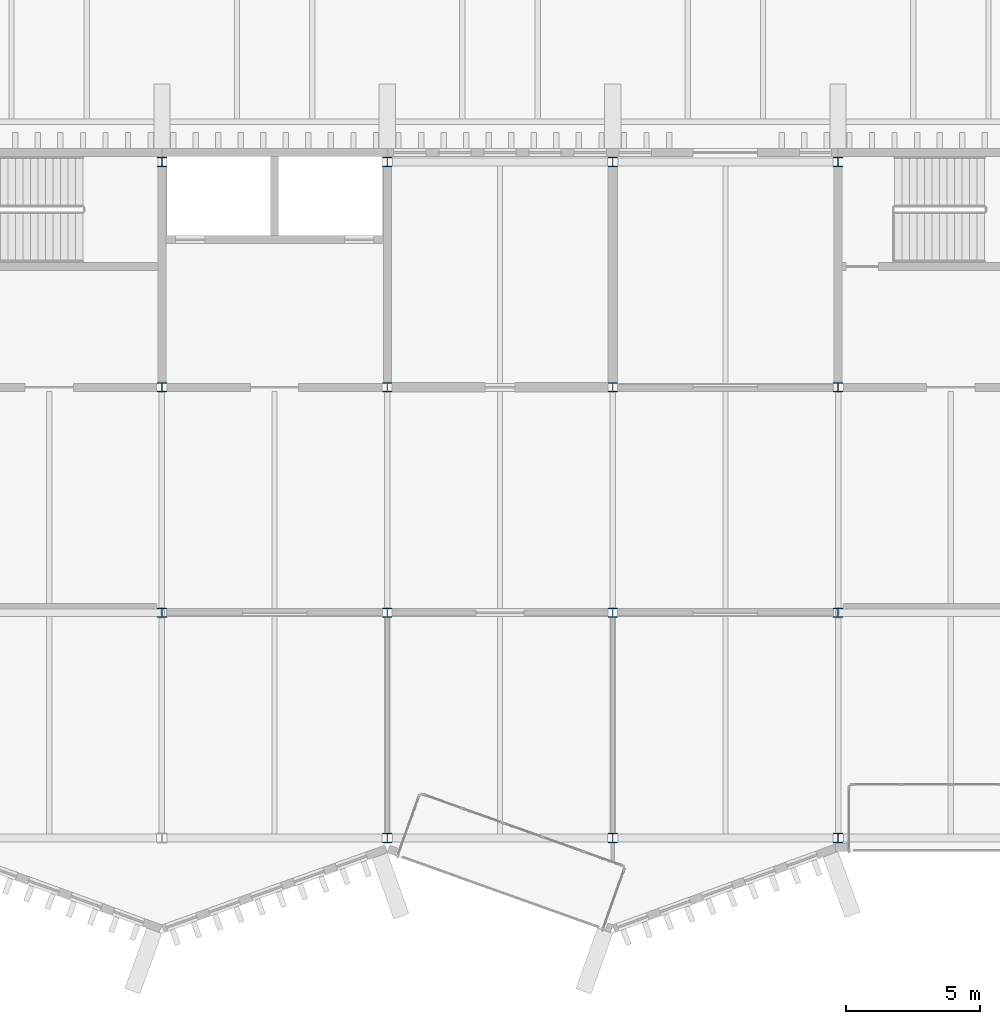
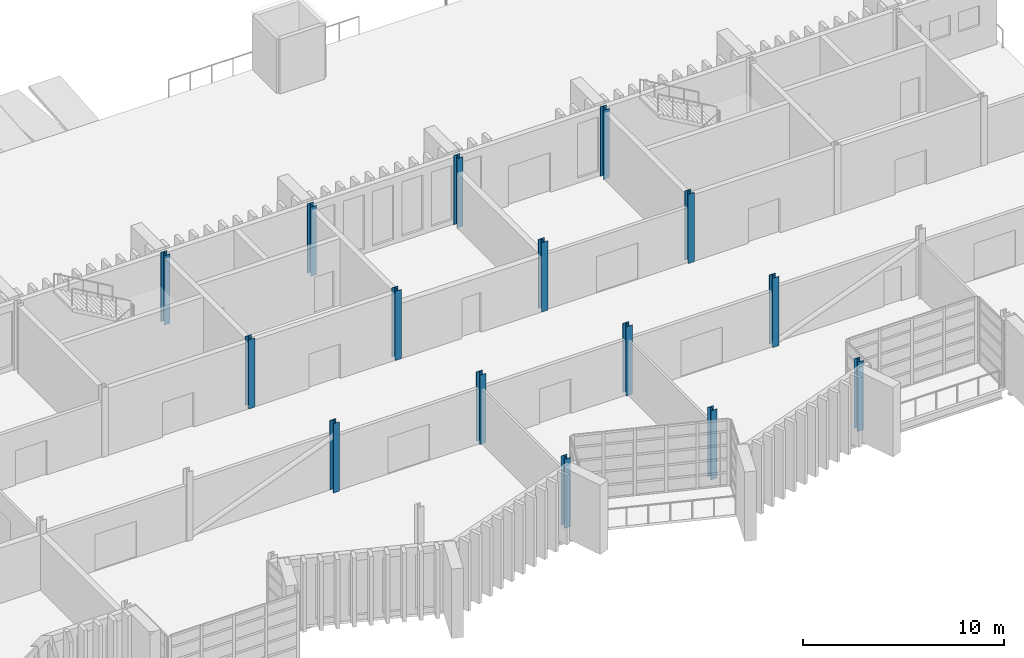
# One storey, part 5 of 96: 15 columns.
"""IFC4 building model written with IfcOpenShell, lengths in metres."""

from ifc_helpers import new_model, si_unit, direction, frame, origin, origin_2d, place, context, subcontext, project, spatial, i_section, extrude, material, material_profile, profile_set, type_object, element, save


model = new_model("IFC4")

# Units and contexts
model_context = context("Model", 3, precision=1e-05, world=origin(), true_north=direction((0.0, 1.0)))
body_context = subcontext(model_context, "Body", "Model", "MODEL_VIEW")
ifc_project = project(units=[si_unit("LENGTHUNIT", "METRE"), si_unit("AREAUNIT", "SQUARE_METRE"), si_unit("VOLUMEUNIT", "CUBIC_METRE"), si_unit("PLANEANGLEUNIT", "RADIAN"), si_unit("MASSUNIT", "GRAM", prefix="KILO")], contexts=[model_context])

# Site, building, storey
site_placement = place(None, origin())
site = spatial("IfcSite", under=ifc_project, at=site_placement, CompositionType="ELEMENT")
building_placement = place(site_placement, origin())
building = spatial("IfcBuilding", under=site, at=building_placement, Name="Cresset Court Congress Hotel", CompositionType="ELEMENT")
storey_placement = place(building_placement, frame((0.0, 0.0, 6.0)))
storey = spatial("IfcBuildingStorey", under=building, at=storey_placement, Name="L01", CompositionType="ELEMENT", Elevation=6.0)

# Columns
ifc_material = material(Name="Structural steel Q355B", Category="steel")
ifc_material_profile = material_profile(ifc_material, i_section(OverallWidth=0.35009765625, OverallDepth=0.35009765625, WebThickness=0.011962890625, FlangeThickness=0.01904296875, FilletRadius=0.012939453125, at=origin_2d()), Name="HW350x350x12x19")
ifc_profile_set = profile_set([ifc_material_profile], Name="Structural steel Q355B")
column_type = type_object("IfcColumnType", Name="Steel column HW350x350x12x19", PredefinedType="COLUMN", material=ifc_profile_set)
for number, where, z_axis, x_axis, name in (
    (1, (109.199951171875, 8.39990234375, 0.0), (0.0, 0.0, 1.0), (1.0, 0.0, 0.0), "B.col.L01.14B"),
    (2, (109.199951171875, 16.800048828125, 0.0), (0.0, 0.0, 1.0), (1.0, 0.0, 0.0), "B.col.L01.14C"),
    (3, (109.199951171875, 25.199951171875, 0.0), (0.0, 0.0, 1.0), (1.0, 0.0, 0.0), "B.col.L01.14D"),
    (4, (117.60009765625, 0.0, 0.0), (0.0, 0.0, 1.0), (1.0, 0.0, 0.0), "B.col.L01.15A"),
    (5, (117.60009765625, 8.39990234375, 0.0), (0.0, 0.0, 1.0), (1.0, 0.0, 0.0), "B.col.L01.15B"),
    (6, (117.60009765625, 16.800048828125, 0.0), (0.0, 0.0, 1.0), (1.0, 0.0, 0.0), "B.col.L01.15C"),
    (7, (117.60009765625, 25.199951171875, 0.0), (0.0, 0.0, 1.0), (1.0, 0.0, 0.0), "B.col.L01.15D"),
    (8, (126.0, 0.0, 0.0), (0.0, 0.0, 1.0), (1.0, 0.0, 0.0), "B.col.L01.16A"),
    (9, (126.0, 8.39990234375, 0.0), (0.0, 0.0, 1.0), (1.0, 0.0, 0.0), "B.col.L01.16B"),
    (10, (126.0, 16.800048828125, 0.0), (0.0, 0.0, 1.0), (1.0, 0.0, 0.0), "B.col.L01.16C"),
    (11, (126.0, 25.199951171875, 0.0), (0.0, 0.0, 1.0), (1.0, 0.0, 0.0), "B.col.L01.16D"),
    (12, (134.39990234375, 0.0, 0.0), (0.0, 0.0, 1.0), (1.0, 0.0, 0.0), "B.col.L01.17A"),
    (13, (134.39990234375, 8.39990234375, 0.0), (0.0, 0.0, 1.0), (1.0, 0.0, 0.0), "B.col.L01.17B"),
    (14, (134.39990234375, 16.800048828125, 0.0), (0.0, 0.0, 1.0), (1.0, 0.0, 0.0), "B.col.L01.17C"),
    (15, (134.39990234375, 25.199951171875, 0.0), (0.0, 0.0, 1.0), (1.0, 0.0, 0.0), "B.col.L01.17D"),
):
    element("IfcColumn", number, at=place(storey_placement, frame(where, z_axis=z_axis, x_axis=x_axis)), inside=storey, type_object=column_type, Name=name, PredefinedType="COLUMN", context=body_context, shape_type="SweptSolid", body=[
        extrude(i_section(OverallWidth=0.35009765625, OverallDepth=0.35009765625, WebThickness=0.011962890625, FlangeThickness=0.01904296875, FilletRadius=0.012939453125, at=origin_2d()), origin(), (0.0, 0.0, 1.0), 4.199951171875),
    ])

save(model, "model.ifc")
